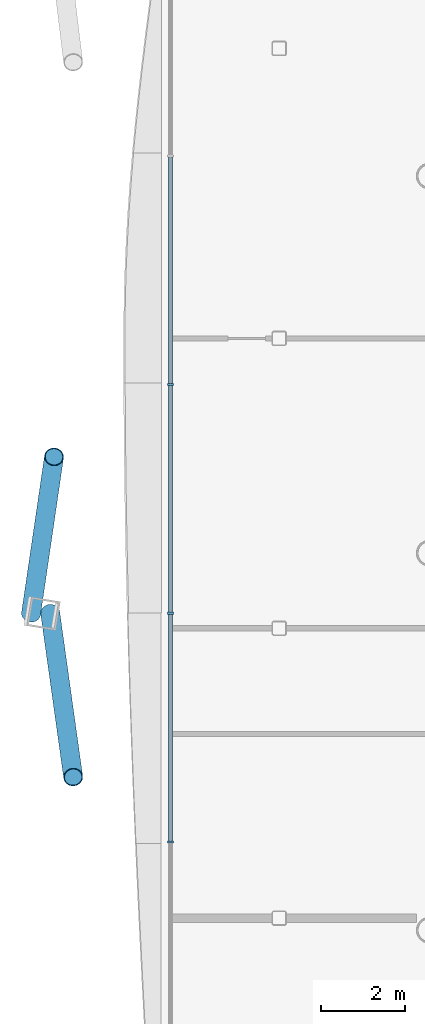
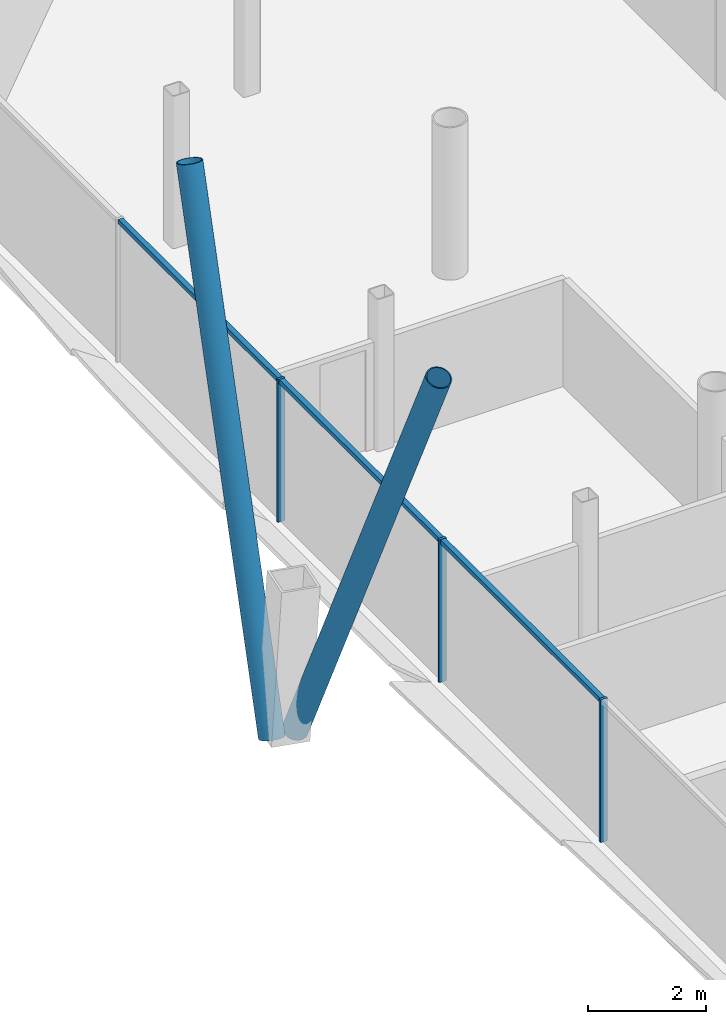
# One storey, part 6 of 21: 8 members, 1 element without a shape of its own.
"""IFC4 building model written with IfcOpenShell, lengths in metres."""

from ifc_helpers import new_model, si_unit, direction, frame, origin, origin_2d, place, context, subcontext, project, spatial, rectangle, hollow_circle, extrude, material, material_profile, profile_set, type_object, element, aggregate, save


model = new_model("IFC4")

# Units and contexts
model_context = context("Model", 3, precision=1e-05, world=origin(), true_north=direction((0.0, 1.0)))
body_context = subcontext(model_context, "Body", "Model", "MODEL_VIEW")
ifc_project = project(units=[si_unit("LENGTHUNIT", "METRE"), si_unit("AREAUNIT", "SQUARE_METRE"), si_unit("VOLUMEUNIT", "CUBIC_METRE"), si_unit("PLANEANGLEUNIT", "RADIAN"), si_unit("MASSUNIT", "GRAM", prefix="KILO")], contexts=[model_context])

# Site, building, storey
site_placement = place(None, origin())
site = spatial("IfcSite", under=ifc_project, at=site_placement, CompositionType="ELEMENT")
building_placement = place(site_placement, origin())
building = spatial("IfcBuilding", under=site, at=building_placement, Name="Tskaro Facet Tower", CompositionType="ELEMENT")
storey_placement = place(building_placement, frame((0.0, 0.0, 172.199951171875)))
storey = spatial("IfcBuildingStorey", under=building, at=storey_placement, Name="L42", CompositionType="ELEMENT", Elevation=172.199951171875)

# Members
ifc_material_1 = material(Name="Steel S355J2H", Category="steel")
ifc_material_profile_1 = material_profile(ifc_material_1, hollow_circle(Radius=0.228515625, WallThickness=0.02001953125, at=origin_2d()), Name="CHS 457x20")
ifc_profile_set_1 = profile_set([ifc_material_profile_1], Name="Steel S355J2H")
member_type_1 = type_object("IfcMemberType", Name="CHS 457x20 brace", PredefinedType="BRACE", material=ifc_profile_set_1)
member_1_placement = place(storey_placement, frame((-27.50439453125, -1.43408203125, 0.0), z_axis=(0.053817496233, 0.366861131252, 0.928717711404), x_axis=(-0.989410578093, 0.145143749291, 0.0)))
element("IfcMember", 1, at=member_1_placement, inside=storey, type_object=member_type_1, Name="CHS 457x20 XB10B/4", PredefinedType="BRACE", context=body_context, shape_type="SweptSolid", body=[
    extrude(hollow_circle(Radius=0.228515625, WallThickness=0.02001953125, at=origin_2d()), origin(), (0.0, 0.0, 1.0), 10.17529296875),
])
member_2_placement = place(storey_placement, frame((-27.047607421875, -1.43408203125, 0.0), z_axis=(0.05348821782, -0.381973569768, 0.92262408518), x_axis=(0.990337503402, 0.138678150242, 0.0)))
element("IfcMember", 2, at=member_2_placement, inside=storey, type_object=member_type_1, Name="CHS 457x20 XB11A/4", PredefinedType="BRACE", context=body_context, shape_type="SweptSolid", body=[
    extrude(hollow_circle(Radius=0.228515625, WallThickness=0.02001953125, at=origin_2d()), origin(), (0.0, 0.0, 1.0), 10.242431640625),
])

# Curtain wall, members
ifc_material_2 = material(Name="Bronze anodised aluminium 6063-T6", Category="aluminium")
curtain_wall_type = type_object("IfcCurtainWallType", Name="Bronze residence curtain wall (FW3)", PredefinedType="NOTDEFINED", material=ifc_material_2)
curtain_wall_placement = place(storey_placement, origin())
curtain_wall = element("IfcCurtainWall", 3, at=curtain_wall_placement, inside=storey, type_object=curtain_wall_type, Name="FW3 west facet L42", PredefinedType="NOTDEFINED")
ifc_material_profile_2 = material_profile(ifc_material_2, rectangle(XDim=0.050048828125, YDim=0.139892578125, at=origin_2d()), Name="Mullion 50x140")
ifc_profile_set_2 = profile_set([ifc_material_profile_2], Name="Bronze anodised aluminium 6063-T6")
member_type_2 = type_object("IfcMemberType", Name="FW3 bronze mullion 50x140", PredefinedType="MULLION", material=ifc_profile_set_2)
member_3_placement = place(storey_placement, frame((-24.176025390625, 4.020751953125, 0.0), z_axis=(0.0, 0.0, 1.0), x_axis=(0.0, -1.0, 0.0)))
member_3 = element("IfcMember", 4, at=member_3_placement, type_object=member_type_2, Name="FW3 west mullion 2", PredefinedType="MULLION", context=body_context, shape_type="SweptSolid", body=[
    extrude(rectangle(XDim=0.050048828125, YDim=0.139892578125, at=origin_2d()), origin(), (0.0, 0.0, 1.0), 2.949951171875),
])
member_4_placement = place(storey_placement, frame((-24.176025390625, -1.4345703125, 0.0), z_axis=(0.0, 0.0, 1.0), x_axis=(0.0, -1.0, 0.0)))
member_4 = element("IfcMember", 5, at=member_4_placement, type_object=member_type_2, Name="FW3 west mullion 3", PredefinedType="MULLION", context=body_context, shape_type="SweptSolid", body=[
    extrude(rectangle(XDim=0.050048828125, YDim=0.139892578125, at=origin_2d()), origin(), (0.0, 0.0, 1.0), 2.949951171875),
])
member_5_placement = place(storey_placement, frame((-24.176025390625, -6.8896484375, 0.0), z_axis=(0.0, 0.0, 1.0), x_axis=(0.0, -1.0, 0.0)))
member_5 = element("IfcMember", 6, at=member_5_placement, type_object=member_type_2, Name="FW3 west mullion 4", PredefinedType="MULLION", context=body_context, shape_type="SweptSolid", body=[
    extrude(rectangle(XDim=0.050048828125, YDim=0.139892578125, at=origin_2d()), origin(), (0.0, 0.0, 1.0), 2.949951171875),
])
ifc_material_profile_3 = material_profile(ifc_material_2, rectangle(XDim=0.10009765625, YDim=0.090087890625, at=origin_2d()), Name="Transom 100x90")
ifc_profile_set_3 = profile_set([ifc_material_profile_3], Name="Bronze anodised aluminium 6063-T6")
member_type_3 = type_object("IfcMemberType", Name="FW3 bronze transom 100x90", PredefinedType="USERDEFINED", material=ifc_profile_set_3)
member_6_placement = place(storey_placement, frame((-24.176025390625, 9.450927734375, 2.905029296875), z_axis=(0.0, -1.0, 0.0), x_axis=(1.0, 0.0, 0.0)))
member_6 = element("IfcMember", 7, at=member_6_placement, type_object=member_type_3, Name="FW3 west transom 2.1", ObjectType="TRANSOM", PredefinedType="USERDEFINED", context=body_context, shape_type="SweptSolid", body=[
    extrude(rectangle(XDim=0.10009765625, YDim=0.090087890625, at=origin_2d()), origin(), (0.0, 0.0, 1.0), 5.4052734375),
])
member_7_placement = place(storey_placement, frame((-24.176025390625, 3.99560546875, 2.905029296875), z_axis=(0.0, -1.0, 0.0), x_axis=(1.0, 0.0, 0.0)))
member_7 = element("IfcMember", 8, at=member_7_placement, type_object=member_type_3, Name="FW3 west transom 3.1", ObjectType="TRANSOM", PredefinedType="USERDEFINED", context=body_context, shape_type="SweptSolid", body=[
    extrude(rectangle(XDim=0.10009765625, YDim=0.090087890625, at=origin_2d()), origin(), (0.0, 0.0, 1.0), 5.405029296875),
])
member_8_placement = place(storey_placement, frame((-24.176025390625, -1.45947265625, 2.905029296875), z_axis=(0.0, -1.0, 0.0), x_axis=(1.0, 0.0, 0.0)))
member_8 = element("IfcMember", 9, at=member_8_placement, type_object=member_type_3, Name="FW3 west transom 4.1", ObjectType="TRANSOM", PredefinedType="USERDEFINED", context=body_context, shape_type="SweptSolid", body=[
    extrude(rectangle(XDim=0.10009765625, YDim=0.090087890625, at=origin_2d()), origin(), (0.0, 0.0, 1.0), 5.4052734375),
])
aggregate(curtain_wall, [member_3, member_4, member_5, member_6, member_7, member_8])

save(model, "model.ifc")
